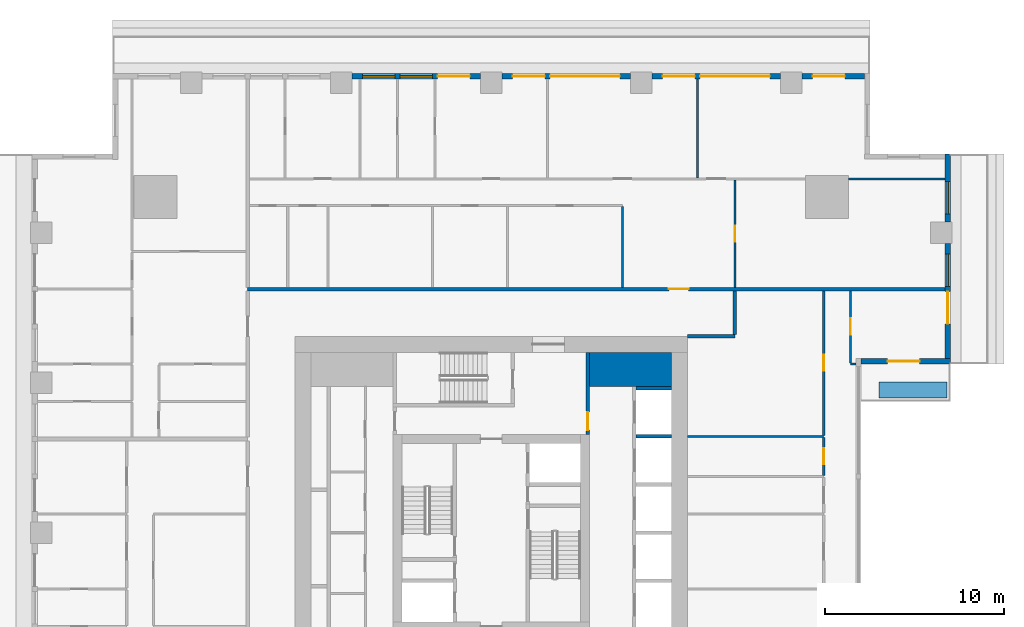
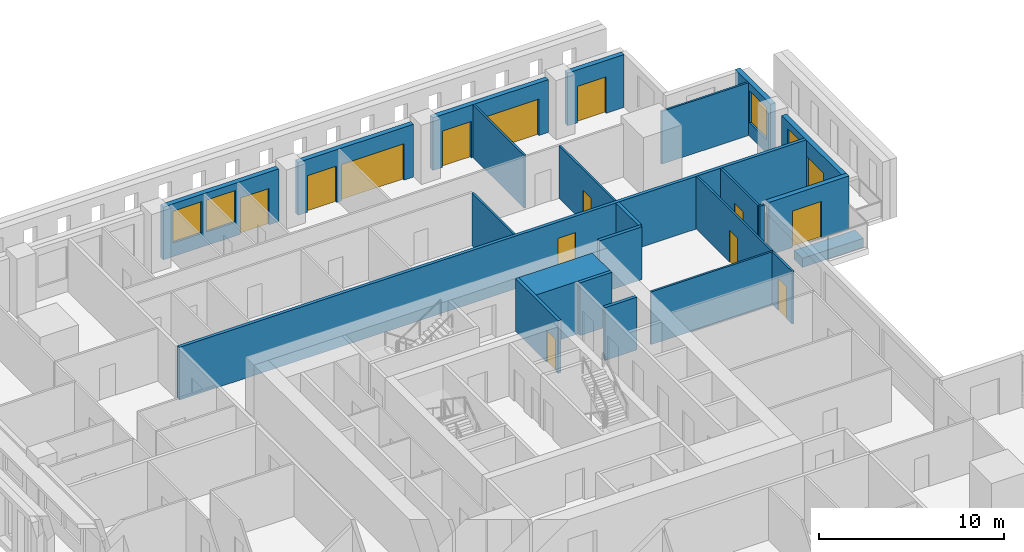
# One storey, part 8 of 15: 24 walls, 14 doors, 4 windows, 18 openings.
"""IFC4 building model written with IfcOpenShell, lengths in metres."""

from ifc_helpers import new_model, si_unit, direction, frame, frame_2d, origin, place, context, subcontext, project, spatial, rectangle, extrude, material, layer, layer_set, type_object, element, fill, save


model = new_model("IFC4")

# Units and contexts
model_context = context("Model", 3, precision=1e-05, world=origin(), true_north=direction((0.0, 1.0)))
body_context = subcontext(model_context, "Body", "Model", "MODEL_VIEW")
ifc_project = project(units=[si_unit("LENGTHUNIT", "METRE"), si_unit("AREAUNIT", "SQUARE_METRE"), si_unit("VOLUMEUNIT", "CUBIC_METRE"), si_unit("PLANEANGLEUNIT", "RADIAN"), si_unit("MASSUNIT", "GRAM", prefix="KILO")], contexts=[model_context])

# Site, building, storey
site_placement = place(None, origin())
site = spatial("IfcSite", under=ifc_project, at=site_placement, CompositionType="ELEMENT")
building_placement = place(site_placement, origin())
building = spatial("IfcBuilding", under=site, at=building_placement, Name="Khepri Terraces", CompositionType="ELEMENT")
storey_placement = place(building_placement, frame((0.0, 0.0, 211.800048828125)))
storey = spatial("IfcBuildingStorey", under=building, at=storey_placement, Name="L50", CompositionType="ELEMENT", Elevation=211.800048828125)

# Walls
ifc_material_1 = material(Name="Concrete C50/60", Category="concrete")
ifc_layer_1 = layer(ifc_material_1, 1.89990234375, Name="Concrete C50/60", Category="concrete")
ifc_layer_set_1 = layer_set([ifc_layer_1], Name="Concrete C50/60")
wall_type_1 = type_object("IfcWallType", Name="Core wall 1900 C50/60", PredefinedType="SHEAR", material=ifc_layer_set_1)
wall_1_placement = place(storey_placement, frame((5.5, 9.14990234375, 0.0), z_axis=(0.0, 0.0, 1.0), x_axis=(1.0, 0.0, 0.0)))
element("IfcWall", 1, at=wall_1_placement, inside=storey, type_object=wall_type_1, Name="Core wall PR04 L50", PredefinedType="SHEAR", context=body_context, shape_type="SweptSolid", body=[
    extrude(rectangle(XDim=4.60009765625, YDim=1.89990234375, at=frame_2d((2.300048828125, 0.0))), origin(), (0.0, 0.0, 1.0), 3.47998046875),
])
ifc_layer_2 = layer(ifc_material_1, 0.199951171875, Name="Concrete C50/60", Category="concrete")
ifc_layer_set_2 = layer_set([ifc_layer_2], Name="Concrete C50/60")
wall_type_2 = type_object("IfcWallType", Name="Core wall 200 C50/60", PredefinedType="SHEAR", material=ifc_layer_set_2)
for number, where, z_axis, x_axis, name in (
    (2, (8.10009765625, 5.39990234375, 0.0), (0.0, 0.0, 1.0), (1.0, 0.0, 0.0), "Core wall SH14 L50"),
    (3, (8.10009765625, 8.10009765625, 0.0), (0.0, 0.0, 1.0), (1.0, 0.0, 0.0), "Core wall SH15 L50"),
):
    element("IfcWall", number, at=place(storey_placement, frame(where, z_axis=z_axis, x_axis=x_axis)), inside=storey, type_object=wall_type_2, Name=name, PredefinedType="SHEAR", context=body_context, shape_type="SweptSolid", body=[
        extrude(rectangle(XDim=2.0, YDim=0.199951171875, at=frame_2d((1.0, 0.0))), origin(), (0.0, 0.0, 1.0), 3.47998046875),
    ])

# Wall, opening, door
ifc_material_2 = material(Name="Fire-rated gypsum board partition")
ifc_layer_3 = layer(ifc_material_2, 0.199951171875, Name="Fire-rated gypsum board partition")
ifc_layer_set_3 = layer_set([ifc_layer_3], Name="Fire-rated gypsum board partition")
wall_type_3 = type_object("IfcWallType", Name="WL-CORE-PART-200", PredefinedType="PARTITIONING", material=ifc_layer_set_3)
wall_2_placement = place(storey_placement, frame((5.39990234375, 5.5, 0.0), z_axis=(0.0, 0.0, 1.0), x_axis=(0.0, 1.0, 0.0)))
wall_2 = element("IfcWall", 4, at=wall_2_placement, inside=storey, type_object=wall_type_3, Name="Core partition PT12 L50", PredefinedType="PARTITIONING", context=body_context, shape_type="SweptSolid", body=[
    extrude(rectangle(XDim=4.60009765625, YDim=0.199951171875, at=frame_2d((2.300048828125, 0.0))), origin(), (0.0, 0.0, 1.0), 3.47998046875),
])
opening_1_placement = place(wall_2_placement, frame((0.25, 0.0, 0.0)))
opening_1 = element("IfcOpeningElement", 5, at=opening_1_placement, cuts=wall_2, Name="Opening L50-C17", PredefinedType="OPENING", context=body_context, shape_type="SweptSolid", body=[
    extrude(rectangle(XDim=1.0, YDim=2.10009765625, at=frame_2d((0.5, 1.050048828125))), frame((0.0, 0.10986328125, 0.0), z_axis=(0.0, -1.0, 0.0), x_axis=(1.0, 0.0, 0.0)), (0.0, 0.0, 1.0), 0.219970703125),
])
ifc_material_3 = material(Name="Painted steel", Category="steel")
door_type_1 = type_object("IfcDoorType", Name="DR-CORE-LOBBY-1000", OperationType="NOTDEFINED", PredefinedType="DOOR", material=ifc_material_3)
door_1_placement = place(opening_1_placement, origin())
door_1 = element("IfcDoor", 6, at=door_1_placement, inside=storey, type_object=door_type_1, Name="Lobby door L50-C17", OperationType="SINGLE_SWING_LEFT", OverallHeight=2.10009765625, OverallWidth=1.0, PredefinedType="DOOR", context=body_context, shape_type="SweptSolid", body=[
    extrude(rectangle(XDim=1.0, YDim=2.10009765625, at=frame_2d((0.5, 1.050048828125))), frame((0.0, 0.02490234375, 0.0), z_axis=(0.0, -1.0, 0.0), x_axis=(1.0, 0.0, 0.0)), (0.0, 0.0, 1.0), 0.050048828125),
])
fill(opening_1, door_1)

# Walls
ifc_material_4 = material(Name="Fire-rated gypsum plasterboard partition, mineral wool")
ifc_layer_4 = layer(ifc_material_4, 0.199951171875, Name="Fire-rated gypsum plasterboard partition, mineral wool")
ifc_layer_set_4 = layer_set([ifc_layer_4], Name="Fire-rated gypsum plasterboard partition, mineral wool")
wall_type_4 = type_object("IfcWallType", Name="WL-CORR-200", PredefinedType="PARTITIONING", material=ifc_layer_set_4)
wall_3_placement = place(storey_placement, frame((11.0, 11.0, 0.0), z_axis=(0.0, 0.0, 1.0), x_axis=(1.0, 0.0, 0.0)))
element("IfcWall", 7, at=wall_3_placement, inside=storey, type_object=wall_type_4, Name="Partition P-067 L50", PredefinedType="PARTITIONING", context=body_context, shape_type="SweptSolid", body=[
    extrude(rectangle(XDim=2.64990234375, YDim=0.199951171875, at=frame_2d((1.324951171875, 0.0))), origin(), (0.0, 0.0, 1.0), 3.47998046875),
])
wall_4_placement = place(storey_placement, frame((13.64990234375, 11.10009765625, 0.0), z_axis=(0.0, 0.0, 1.0), x_axis=(0.0, 1.0, 0.0)))
element("IfcWall", 8, at=wall_4_placement, inside=storey, type_object=wall_type_4, Name="Partition P-068 L50", PredefinedType="PARTITIONING", context=body_context, shape_type="SweptSolid", body=[
    extrude(rectangle(XDim=2.449951171875, YDim=0.199951171875, at=frame_2d((1.22509765625, 0.0))), origin(), (0.0, 0.0, 1.0), 3.47998046875),
])

# Wall, opening, door
wall_5_placement = place(storey_placement, frame((-13.64990234375, 13.64990234375, 0.0), z_axis=(0.0, 0.0, 1.0), x_axis=(1.0, 0.0, 0.0)))
wall_5 = element("IfcWall", 9, at=wall_5_placement, inside=storey, type_object=wall_type_4, Name="Partition P-070 L50", PredefinedType="PARTITIONING", context=body_context, shape_type="SweptSolid", body=[
    extrude(rectangle(XDim=39.06982421875, YDim=0.199951171875, at=frame_2d((19.534912109375, 0.0))), origin(), (0.0, 0.0, 1.0), 3.47998046875),
])
opening_2_placement = place(wall_5_placement, frame((23.60009765625, 0.0, 0.0)))
opening_2 = element("IfcOpeningElement", 10, at=opening_2_placement, cuts=wall_5, Name="Opening D1", PredefinedType="OPENING", context=body_context, shape_type="SweptSolid", body=[
    extrude(rectangle(XDim=1.10009765625, YDim=2.39990234375, at=frame_2d((0.550048828125, 1.199951171875))), frame((0.0, 0.10986328125, 0.0), z_axis=(0.0, -1.0, 0.0), x_axis=(1.0, 0.0, 0.0)), (0.0, 0.0, 1.0), 0.219970703125),
])
ifc_material_5 = material(Name="Solid-core timber door leaf, flat entrance door", Category="wood")
door_type_2 = type_object("IfcDoorType", Name="DR-ENT-1100", OperationType="NOTDEFINED", PredefinedType="DOOR", material=ifc_material_5)
door_2_placement = place(opening_2_placement, origin())
door_2 = element("IfcDoor", 11, at=door_2_placement, inside=storey, type_object=door_type_2, Name="Flat C1 entrance door", OperationType="SINGLE_SWING_RIGHT", OverallHeight=2.39990234375, OverallWidth=1.10009765625, PredefinedType="DOOR", context=body_context, shape_type="SweptSolid", body=[
    extrude(rectangle(XDim=1.10009765625, YDim=2.39990234375, at=frame_2d((0.550048828125, 1.199951171875))), frame((0.0, 0.02490234375, 0.0), z_axis=(0.0, -1.0, 0.0), x_axis=(1.0, 0.0, 0.0)), (0.0, 0.0, 1.0), 0.050048828125),
])
fill(opening_2, door_2)

ifc_material_6 = material(Name="Precast concrete C50/60 warm stone", Category="masonry")
ifc_layer_5 = layer(ifc_material_6, 0.300048828125, Name="Precast concrete C50/60 warm stone", Category="masonry")
ifc_layer_set_5 = layer_set([ifc_layer_5], Name="Precast concrete C50/60 warm stone")
wall_type_5 = type_object("IfcWallType", Name="WL-EXT-PRECAST-300", PredefinedType="STANDARD", material=ifc_layer_set_5)
wall_6_placement = place(storey_placement, frame((20.719970703125, 9.60009765625, 0.0), z_axis=(0.0, 0.0, 1.0), x_axis=(1.0, 0.0, 0.0)))
wall_6 = element("IfcWall", 12, at=wall_6_placement, inside=storey, type_object=wall_type_5, Name="External wall L50 S", PredefinedType="STANDARD", context=body_context, shape_type="SweptSolid", body=[
    extrude(rectangle(XDim=5.0, YDim=0.300048828125, at=frame_2d((2.5, 0.0))), origin(), (0.0, 0.0, 1.0), 3.47998046875),
])
opening_3_placement = place(wall_6_placement, frame((1.47998046875, 0.0, 0.0)))
opening_3 = element("IfcOpeningElement", 13, at=opening_3_placement, cuts=wall_6, Name="Opening ED-L50-04", PredefinedType="OPENING", context=body_context, shape_type="SweptSolid", body=[
    extrude(rectangle(XDim=1.800048828125, YDim=2.39990234375, at=frame_2d((0.89990234375, 1.199951171875))), frame((0.0, 0.16015625, 0.0), z_axis=(0.0, -1.0, 0.0), x_axis=(1.0, 0.0, 0.0)), (0.0, 0.0, 1.0), 0.320068359375),
])
ifc_material_7 = material(Name="Anodised aluminium bronze glazed door", Category="aluminium")
door_type_3 = type_object("IfcDoorType", Name="DR-BAL-SLIDE-1800x2400", OperationType="NOTDEFINED", PredefinedType="DOOR", material=ifc_material_7)
door_3_placement = place(opening_3_placement, origin())
door_3 = element("IfcDoor", 14, at=door_3_placement, inside=storey, type_object=door_type_3, Name="Balcony door L50 S", OperationType="SLIDING_TO_RIGHT", OverallHeight=2.39990234375, OverallWidth=1.800048828125, PredefinedType="DOOR", context=body_context, shape_type="SweptSolid", body=[
    extrude(rectangle(XDim=1.800048828125, YDim=2.39990234375, at=frame_2d((0.89990234375, 1.199951171875))), frame((0.0, 0.02490234375, 0.0), z_axis=(0.0, -1.0, 0.0), x_axis=(1.0, 0.0, 0.0)), (0.0, 0.0, 1.0), 0.050048828125),
])
fill(opening_3, door_3)

# Wall, openings, door, window
wall_7_placement = place(storey_placement, frame((25.570068359375, 9.75, 0.0), z_axis=(0.0, 0.0, 1.0), x_axis=(0.0, 1.0, 0.0)))
wall_7 = element("IfcWall", 15, at=wall_7_placement, inside=storey, type_object=wall_type_5, Name="External wall L50 E", PredefinedType="STANDARD", context=body_context, shape_type="SweptSolid", body=[
    extrude(rectangle(XDim=6.449951171875, YDim=0.300048828125, at=frame_2d((3.22509765625, 0.0))), origin(), (0.0, 0.0, 1.0), 3.47998046875),
])
opening_4_placement = place(wall_7_placement, frame((1.949951171875, 0.0, 0.0)))
opening_4 = element("IfcOpeningElement", 16, at=opening_4_placement, cuts=wall_7, Name="Opening ED-L50-05", PredefinedType="OPENING", context=body_context, shape_type="SweptSolid", body=[
    extrude(rectangle(XDim=1.800048828125, YDim=2.39990234375, at=frame_2d((0.89990234375, 1.199951171875))), frame((0.0, 0.16015625, 0.0), z_axis=(0.0, -1.0, 0.0), x_axis=(1.0, 0.0, 0.0)), (0.0, 0.0, 1.0), 0.320068359375),
])
opening_5_placement = place(wall_7_placement, frame((4.050048828125, 0.0, 0.89990234375)))
opening_5 = element("IfcOpeningElement", 17, at=opening_5_placement, cuts=wall_7, Name="Opening W1", PredefinedType="OPENING", context=body_context, shape_type="SweptSolid", body=[
    extrude(rectangle(XDim=1.800048828125, YDim=2.10009765625, at=frame_2d((0.89990234375, 1.050048828125))), frame((0.0, 0.16015625, 0.0), z_axis=(0.0, -1.0, 0.0), x_axis=(1.0, 0.0, 0.0)), (0.0, 0.0, 1.0), 0.320068359375),
])
door_4_placement = place(opening_4_placement, origin())
door_4 = element("IfcDoor", 18, at=door_4_placement, inside=storey, type_object=door_type_3, Name="Balcony door L50 E", OperationType="SLIDING_TO_RIGHT", OverallHeight=2.39990234375, OverallWidth=1.800048828125, PredefinedType="DOOR", context=body_context, shape_type="SweptSolid", body=[
    extrude(rectangle(XDim=1.800048828125, YDim=2.39990234375, at=frame_2d((0.89990234375, 1.199951171875))), frame((0.0, 0.02490234375, 0.0), z_axis=(0.0, -1.0, 0.0), x_axis=(1.0, 0.0, 0.0)), (0.0, 0.0, 1.0), 0.050048828125),
])
fill(opening_4, door_4)
ifc_material_8 = material(Name="Clear glass", Category="glass")
window_type = type_object("IfcWindowType", Name="WIN-RES-1800x2100", PartitioningType="SINGLE_PANEL", PredefinedType="WINDOW", material=ifc_material_8)
window_1_placement = place(opening_5_placement, origin())
window_1 = element("IfcWindow", 19, at=window_1_placement, inside=storey, type_object=window_type, Name="Window L50 E", OverallHeight=2.10009765625, OverallWidth=1.800048828125, PartitioningType="SINGLE_PANEL", PredefinedType="WINDOW", context=body_context, shape_type="SweptSolid", body=[
    extrude(rectangle(XDim=1.800048828125, YDim=2.10009765625, at=frame_2d((0.89990234375, 1.050048828125))), frame((0.0, 0.030029296875, 0.0), z_axis=(0.0, -1.0, 0.0), x_axis=(1.0, 0.0, 0.0)), (0.0, 0.0, 1.0), 0.06005859375),
])
fill(opening_5, window_1)

# Wall, opening, window
wall_8_placement = place(storey_placement, frame((25.570068359375, 17.39990234375, 0.0), z_axis=(0.0, 0.0, 1.0), x_axis=(0.0, 1.0, 0.0)))
wall_8 = element("IfcWall", 20, at=wall_8_placement, inside=storey, type_object=wall_type_5, Name="External wall L50 E", PredefinedType="STANDARD", context=body_context, shape_type="SweptSolid", body=[
    extrude(rectangle(XDim=3.820068359375, YDim=0.300048828125, at=frame_2d((1.91015625, 0.0))), origin(), (0.0, 0.0, 1.0), 3.47998046875),
])
opening_6_placement = place(wall_8_placement, frame((0.4599609375, 0.0, 0.89990234375)))
opening_6 = element("IfcOpeningElement", 21, at=opening_6_placement, cuts=wall_8, Name="Opening W1", PredefinedType="OPENING", context=body_context, shape_type="SweptSolid", body=[
    extrude(rectangle(XDim=1.800048828125, YDim=2.10009765625, at=frame_2d((0.89990234375, 1.050048828125))), frame((0.0, 0.16015625, 0.0), z_axis=(0.0, -1.0, 0.0), x_axis=(1.0, 0.0, 0.0)), (0.0, 0.0, 1.0), 0.320068359375),
])
window_2_placement = place(opening_6_placement, origin())
window_2 = element("IfcWindow", 22, at=window_2_placement, inside=storey, type_object=window_type, Name="Window L50 E", OverallHeight=2.10009765625, OverallWidth=1.800048828125, PartitioningType="SINGLE_PANEL", PredefinedType="WINDOW", context=body_context, shape_type="SweptSolid", body=[
    extrude(rectangle(XDim=1.800048828125, YDim=2.10009765625, at=frame_2d((0.89990234375, 1.050048828125))), frame((0.0, 0.030029296875, 0.0), z_axis=(0.0, -1.0, 0.0), x_axis=(1.0, 0.0, 0.0)), (0.0, 0.0, 1.0), 0.06005859375),
])
fill(opening_6, window_2)

# Wall, opening, door
wall_9_placement = place(storey_placement, frame((20.919921875, 25.570068359375, 0.0), z_axis=(0.0, 0.0, 1.0), x_axis=(-1.0, 0.0, 0.0)))
wall_9 = element("IfcWall", 23, at=wall_9_placement, inside=storey, type_object=wall_type_5, Name="External wall L50 N", PredefinedType="STANDARD", context=body_context, shape_type="SweptSolid", body=[
    extrude(rectangle(XDim=3.52001953125, YDim=0.300048828125, at=frame_2d((1.760009765625, 0.0))), origin(), (0.0, 0.0, 1.0), 3.47998046875),
])
opening_7_placement = place(wall_9_placement, frame((1.1201171875, 0.0, 0.0)))
opening_7 = element("IfcOpeningElement", 24, at=opening_7_placement, cuts=wall_9, Name="Opening ED-L50-06", PredefinedType="OPENING", context=body_context, shape_type="SweptSolid", body=[
    extrude(rectangle(XDim=1.800048828125, YDim=2.39990234375, at=frame_2d((0.89990234375, 1.199951171875))), frame((0.0, 0.16015625, 0.0), z_axis=(0.0, -1.0, 0.0), x_axis=(1.0, 0.0, 0.0)), (0.0, 0.0, 1.0), 0.320068359375),
])
door_5_placement = place(opening_7_placement, origin())
door_5 = element("IfcDoor", 25, at=door_5_placement, inside=storey, type_object=door_type_3, Name="Balcony door L50 N", OperationType="SLIDING_TO_RIGHT", OverallHeight=2.39990234375, OverallWidth=1.800048828125, PredefinedType="DOOR", context=body_context, shape_type="SweptSolid", body=[
    extrude(rectangle(XDim=1.800048828125, YDim=2.39990234375, at=frame_2d((0.89990234375, 1.199951171875))), frame((0.0, 0.02490234375, 0.0), z_axis=(0.0, -1.0, 0.0), x_axis=(1.0, 0.0, 0.0)), (0.0, 0.0, 1.0), 0.050048828125),
])
fill(opening_7, door_5)

# Wall, openings, doors
wall_10_placement = place(storey_placement, frame((16.199951171875, 25.570068359375, 0.0), z_axis=(0.0, 0.0, 1.0), x_axis=(-1.0, 0.0, 0.0)))
wall_10 = element("IfcWall", 26, at=wall_10_placement, inside=storey, type_object=wall_type_5, Name="External wall L50 N", PredefinedType="STANDARD", context=body_context, shape_type="SweptSolid", body=[
    extrude(rectangle(XDim=7.199951171875, YDim=0.300048828125, at=frame_2d((3.60009765625, 0.0))), origin(), (0.0, 0.0, 1.0), 3.47998046875),
])
opening_8_placement = place(wall_10_placement, frame((0.60009765625, 0.0, 0.0)))
opening_8 = element("IfcOpeningElement", 27, at=opening_8_placement, cuts=wall_10, Name="Opening ED-L50-07", PredefinedType="OPENING", context=body_context, shape_type="SweptSolid", body=[
    extrude(rectangle(XDim=3.89990234375, YDim=2.39990234375, at=frame_2d((1.949951171875, 1.199951171875))), frame((0.0, 0.16015625, 0.0), z_axis=(0.0, -1.0, 0.0), x_axis=(1.0, 0.0, 0.0)), (0.0, 0.0, 1.0), 0.320068359375),
])
opening_9_placement = place(wall_10_placement, frame((4.800048828125, 0.0, 0.0)))
opening_9 = element("IfcOpeningElement", 28, at=opening_9_placement, cuts=wall_10, Name="Opening ED-L50-08", PredefinedType="OPENING", context=body_context, shape_type="SweptSolid", body=[
    extrude(rectangle(XDim=1.800048828125, YDim=2.39990234375, at=frame_2d((0.89990234375, 1.199951171875))), frame((0.0, 0.16015625, 0.0), z_axis=(0.0, -1.0, 0.0), x_axis=(1.0, 0.0, 0.0)), (0.0, 0.0, 1.0), 0.320068359375),
])
door_6_placement = place(opening_9_placement, origin())
door_6 = element("IfcDoor", 29, at=door_6_placement, inside=storey, type_object=door_type_3, Name="Balcony door L50 N", OperationType="SLIDING_TO_RIGHT", OverallHeight=2.39990234375, OverallWidth=1.800048828125, PredefinedType="DOOR", context=body_context, shape_type="SweptSolid", body=[
    extrude(rectangle(XDim=1.800048828125, YDim=2.39990234375, at=frame_2d((0.89990234375, 1.199951171875))), frame((0.0, 0.02490234375, 0.0), z_axis=(0.0, -1.0, 0.0), x_axis=(1.0, 0.0, 0.0)), (0.0, 0.0, 1.0), 0.050048828125),
])
fill(opening_9, door_6)
door_type_4 = type_object("IfcDoorType", Name="DR-BAL-SLIDE-3900x2400", OperationType="NOTDEFINED", PredefinedType="DOOR", material=ifc_material_7)
door_7_placement = place(opening_8_placement, origin())
door_7 = element("IfcDoor", 30, at=door_7_placement, inside=storey, type_object=door_type_4, Name="Balcony door L50 N", OperationType="SLIDING_TO_LEFT", OverallHeight=2.39990234375, OverallWidth=3.89990234375, PredefinedType="DOOR", context=body_context, shape_type="SweptSolid", body=[
    extrude(rectangle(XDim=3.89990234375, YDim=2.39990234375, at=frame_2d((1.949951171875, 1.199951171875))), frame((0.0, 0.02490234375, 0.0), z_axis=(0.0, -1.0, 0.0), x_axis=(1.0, 0.0, 0.0)), (0.0, 0.0, 1.0), 0.050048828125),
])
fill(opening_8, door_7)

wall_11_placement = place(storey_placement, frame((7.800048828125, 25.570068359375, 0.0), z_axis=(0.0, 0.0, 1.0), x_axis=(-1.0, 0.0, 0.0)))
wall_11 = element("IfcWall", 31, at=wall_11_placement, inside=storey, type_object=wall_type_5, Name="External wall L50 N", PredefinedType="STANDARD", context=body_context, shape_type="SweptSolid", body=[
    extrude(rectangle(XDim=7.199951171875, YDim=0.300048828125, at=frame_2d((3.60009765625, 0.0))), origin(), (0.0, 0.0, 1.0), 3.47998046875),
])
opening_10_placement = place(wall_11_placement, frame((0.60009765625, 0.0, 0.0)))
opening_10 = element("IfcOpeningElement", 32, at=opening_10_placement, cuts=wall_11, Name="Opening ED-L50-09", PredefinedType="OPENING", context=body_context, shape_type="SweptSolid", body=[
    extrude(rectangle(XDim=3.89990234375, YDim=2.39990234375, at=frame_2d((1.949951171875, 1.199951171875))), frame((0.0, 0.16015625, 0.0), z_axis=(0.0, -1.0, 0.0), x_axis=(1.0, 0.0, 0.0)), (0.0, 0.0, 1.0), 0.320068359375),
])
opening_11_placement = place(wall_11_placement, frame((4.800048828125, 0.0, 0.0)))
opening_11 = element("IfcOpeningElement", 33, at=opening_11_placement, cuts=wall_11, Name="Opening ED-L50-10", PredefinedType="OPENING", context=body_context, shape_type="SweptSolid", body=[
    extrude(rectangle(XDim=1.800048828125, YDim=2.39990234375, at=frame_2d((0.89990234375, 1.199951171875))), frame((0.0, 0.16015625, 0.0), z_axis=(0.0, -1.0, 0.0), x_axis=(1.0, 0.0, 0.0)), (0.0, 0.0, 1.0), 0.320068359375),
])
door_8_placement = place(opening_11_placement, origin())
door_8 = element("IfcDoor", 34, at=door_8_placement, inside=storey, type_object=door_type_3, Name="Balcony door L50 N", OperationType="SLIDING_TO_RIGHT", OverallHeight=2.39990234375, OverallWidth=1.800048828125, PredefinedType="DOOR", context=body_context, shape_type="SweptSolid", body=[
    extrude(rectangle(XDim=1.800048828125, YDim=2.39990234375, at=frame_2d((0.89990234375, 1.199951171875))), frame((0.0, 0.02490234375, 0.0), z_axis=(0.0, -1.0, 0.0), x_axis=(1.0, 0.0, 0.0)), (0.0, 0.0, 1.0), 0.050048828125),
])
fill(opening_11, door_8)
door_9_placement = place(opening_10_placement, origin())
door_9 = element("IfcDoor", 35, at=door_9_placement, inside=storey, type_object=door_type_4, Name="Balcony door L50 N", OperationType="SLIDING_TO_LEFT", OverallHeight=2.39990234375, OverallWidth=3.89990234375, PredefinedType="DOOR", context=body_context, shape_type="SweptSolid", body=[
    extrude(rectangle(XDim=3.89990234375, YDim=2.39990234375, at=frame_2d((1.949951171875, 1.199951171875))), frame((0.0, 0.02490234375, 0.0), z_axis=(0.0, -1.0, 0.0), x_axis=(1.0, 0.0, 0.0)), (0.0, 0.0, 1.0), 0.050048828125),
])
fill(opening_10, door_9)

# Wall, openings, door, windows
wall_12_placement = place(storey_placement, frame((-0.60009765625, 25.570068359375, 0.0), z_axis=(0.0, 0.0, 1.0), x_axis=(-1.0, 0.0, 0.0)))
wall_12 = element("IfcWall", 36, at=wall_12_placement, inside=storey, type_object=wall_type_5, Name="External wall L50 N", PredefinedType="STANDARD", context=body_context, shape_type="SweptSolid", body=[
    extrude(rectangle(XDim=7.199951171875, YDim=0.300048828125, at=frame_2d((3.60009765625, 0.0))), origin(), (0.0, 0.0, 1.0), 3.47998046875),
])
opening_12_placement = place(wall_12_placement, frame((0.60009765625, 0.0, 0.0)))
opening_12 = element("IfcOpeningElement", 37, at=opening_12_placement, cuts=wall_12, Name="Opening ED-L50-11", PredefinedType="OPENING", context=body_context, shape_type="SweptSolid", body=[
    extrude(rectangle(XDim=1.800048828125, YDim=2.39990234375, at=frame_2d((0.89990234375, 1.199951171875))), frame((0.0, 0.16015625, 0.0), z_axis=(0.0, -1.0, 0.0), x_axis=(1.0, 0.0, 0.0)), (0.0, 0.0, 1.0), 0.320068359375),
])
opening_13_placement = place(wall_12_placement, frame((2.699951171875, 0.0, 0.89990234375)))
opening_13 = element("IfcOpeningElement", 38, at=opening_13_placement, cuts=wall_12, Name="Opening W1", PredefinedType="OPENING", context=body_context, shape_type="SweptSolid", body=[
    extrude(rectangle(XDim=1.800048828125, YDim=2.10009765625, at=frame_2d((0.89990234375, 1.050048828125))), frame((0.0, 0.16015625, 0.0), z_axis=(0.0, -1.0, 0.0), x_axis=(1.0, 0.0, 0.0)), (0.0, 0.0, 1.0), 0.320068359375),
])
opening_14_placement = place(wall_12_placement, frame((4.800048828125, 0.0, 0.89990234375)))
opening_14 = element("IfcOpeningElement", 39, at=opening_14_placement, cuts=wall_12, Name="Opening W1", PredefinedType="OPENING", context=body_context, shape_type="SweptSolid", body=[
    extrude(rectangle(XDim=1.800048828125, YDim=2.10009765625, at=frame_2d((0.89990234375, 1.050048828125))), frame((0.0, 0.16015625, 0.0), z_axis=(0.0, -1.0, 0.0), x_axis=(1.0, 0.0, 0.0)), (0.0, 0.0, 1.0), 0.320068359375),
])
door_10_placement = place(opening_12_placement, origin())
door_10 = element("IfcDoor", 40, at=door_10_placement, inside=storey, type_object=door_type_3, Name="Balcony door L50 N", OperationType="SLIDING_TO_LEFT", OverallHeight=2.39990234375, OverallWidth=1.800048828125, PredefinedType="DOOR", context=body_context, shape_type="SweptSolid", body=[
    extrude(rectangle(XDim=1.800048828125, YDim=2.39990234375, at=frame_2d((0.89990234375, 1.199951171875))), frame((0.0, 0.02490234375, 0.0), z_axis=(0.0, -1.0, 0.0), x_axis=(1.0, 0.0, 0.0)), (0.0, 0.0, 1.0), 0.050048828125),
])
fill(opening_12, door_10)
window_3_placement = place(opening_13_placement, origin())
window_3 = element("IfcWindow", 41, at=window_3_placement, inside=storey, type_object=window_type, Name="Window L50 N", OverallHeight=2.10009765625, OverallWidth=1.800048828125, PartitioningType="SINGLE_PANEL", PredefinedType="WINDOW", context=body_context, shape_type="SweptSolid", body=[
    extrude(rectangle(XDim=1.800048828125, YDim=2.10009765625, at=frame_2d((0.89990234375, 1.050048828125))), frame((0.0, 0.030029296875, 0.0), z_axis=(0.0, -1.0, 0.0), x_axis=(1.0, 0.0, 0.0)), (0.0, 0.0, 1.0), 0.06005859375),
])
fill(opening_13, window_3)
window_4_placement = place(opening_14_placement, origin())
window_4 = element("IfcWindow", 42, at=window_4_placement, inside=storey, type_object=window_type, Name="Window L50 N", OverallHeight=2.10009765625, OverallWidth=1.800048828125, PartitioningType="SINGLE_PANEL", PredefinedType="WINDOW", context=body_context, shape_type="SweptSolid", body=[
    extrude(rectangle(XDim=1.800048828125, YDim=2.10009765625, at=frame_2d((0.89990234375, 1.050048828125))), frame((0.0, 0.030029296875, 0.0), z_axis=(0.0, -1.0, 0.0), x_axis=(1.0, 0.0, 0.0)), (0.0, 0.0, 1.0), 0.06005859375),
])
fill(opening_14, window_4)

# Wall, opening, door
ifc_material_9 = material(Name="Gypsum plasterboard partition")
ifc_layer_6 = layer(ifc_material_9, 0.1201171875, Name="Gypsum plasterboard partition")
ifc_layer_set_6 = layer_set([ifc_layer_6], Name="Gypsum plasterboard partition")
wall_type_6 = type_object("IfcWallType", Name="WL-PART-120", PredefinedType="PARTITIONING", material=ifc_layer_set_6)
wall_13_placement = place(storey_placement, frame((18.6201171875, 3.2099609375, 0.0), z_axis=(0.0, 0.0, 1.0), x_axis=(0.0, 1.0, 0.0)))
wall_13 = element("IfcWall", 43, at=wall_13_placement, inside=storey, type_object=wall_type_6, Name="Partition P-051 L50", PredefinedType="PARTITIONING", context=body_context, shape_type="SweptSolid", body=[
    extrude(rectangle(XDim=2.130126953125, YDim=0.1201171875, at=frame_2d((1.06494140625, 0.0))), origin(), (0.0, 0.0, 1.0), 3.47998046875),
])
opening_15_placement = place(wall_13_placement, frame((0.614990234375, 0.0, 0.0)))
opening_15 = element("IfcOpeningElement", 44, at=opening_15_placement, cuts=wall_13, Name="Opening D4", PredefinedType="OPENING", context=body_context, shape_type="SweptSolid", body=[
    extrude(rectangle(XDim=0.89990234375, YDim=2.10009765625, at=frame_2d((0.449951171875, 1.050048828125))), frame((0.0, 0.070068359375, 0.0), z_axis=(0.0, -1.0, 0.0), x_axis=(1.0, 0.0, 0.0)), (0.0, 0.0, 1.0), 0.14013671875),
])
ifc_material_10 = material(Name="Timber door leaf, moisture resistant", Category="wood")
door_type_5 = type_object("IfcDoorType", Name="DR-WET-900", OperationType="NOTDEFINED", PredefinedType="DOOR", material=ifc_material_10)
door_11_placement = place(opening_15_placement, origin())
door_11 = element("IfcDoor", 45, at=door_11_placement, inside=storey, type_object=door_type_5, Name="Door Guest Bathroom", OperationType="SINGLE_SWING_RIGHT", OverallHeight=2.10009765625, OverallWidth=0.89990234375, PredefinedType="DOOR", context=body_context, shape_type="SweptSolid", body=[
    extrude(rectangle(XDim=0.89990234375, YDim=2.10009765625, at=frame_2d((0.449951171875, 1.050048828125))), frame((0.0, 0.02490234375, 0.0), z_axis=(0.0, -1.0, 0.0), x_axis=(1.0, 0.0, 0.0)), (0.0, 0.0, 1.0), 0.050048828125),
])
fill(opening_15, door_11)

# Wall
wall_14_placement = place(storey_placement, frame((11.0, 5.39990234375, 0.0), z_axis=(0.0, 0.0, 1.0), x_axis=(1.0, 0.0, 0.0)))
element("IfcWall", 46, at=wall_14_placement, inside=storey, type_object=wall_type_6, Name="Partition P-056 L50", PredefinedType="PARTITIONING", context=body_context, shape_type="SweptSolid", body=[
    extrude(rectangle(XDim=7.6201171875, YDim=0.1201171875, at=frame_2d((3.81005859375, 0.0))), origin(), (0.0, 0.0, 1.0), 3.47998046875),
])

# Wall, opening, door
wall_15_placement = place(storey_placement, frame((18.6201171875, 5.4599609375, 0.0), z_axis=(0.0, 0.0, 1.0), x_axis=(0.0, 1.0, 0.0)))
wall_15 = element("IfcWall", 47, at=wall_15_placement, inside=storey, type_object=wall_type_6, Name="Partition P-057 L50", PredefinedType="PARTITIONING", context=body_context, shape_type="SweptSolid", body=[
    extrude(rectangle(XDim=8.090087890625, YDim=0.1201171875, at=frame_2d((4.044921875, 0.0))), origin(), (0.0, 0.0, 1.0), 3.47998046875),
])
opening_16_placement = place(wall_15_placement, frame((3.614990234375, 0.0, 0.0)))
opening_16 = element("IfcOpeningElement", 48, at=opening_16_placement, cuts=wall_15, Name="Opening D3", PredefinedType="OPENING", context=body_context, shape_type="SweptSolid", body=[
    extrude(rectangle(XDim=0.89990234375, YDim=2.10009765625, at=frame_2d((0.449951171875, 1.050048828125))), frame((0.0, 0.070068359375, 0.0), z_axis=(0.0, -1.0, 0.0), x_axis=(1.0, 0.0, 0.0)), (0.0, 0.0, 1.0), 0.14013671875),
])
ifc_material_11 = material(Name="Timber door leaf", Category="wood")
door_type_6 = type_object("IfcDoorType", Name="DR-INT-900", OperationType="NOTDEFINED", PredefinedType="DOOR", material=ifc_material_11)
door_12_placement = place(opening_16_placement, origin())
door_12 = element("IfcDoor", 49, at=door_12_placement, inside=storey, type_object=door_type_6, Name="Door Library", OperationType="SINGLE_SWING_RIGHT", OverallHeight=2.10009765625, OverallWidth=0.89990234375, PredefinedType="DOOR", context=body_context, shape_type="SweptSolid", body=[
    extrude(rectangle(XDim=0.89990234375, YDim=2.10009765625, at=frame_2d((0.449951171875, 1.050048828125))), frame((0.0, 0.02490234375, 0.0), z_axis=(0.0, -1.0, 0.0), x_axis=(1.0, 0.0, 0.0)), (0.0, 0.0, 1.0), 0.050048828125),
])
fill(opening_16, door_12)

# Wall
wall_16_placement = place(storey_placement, frame((20.1201171875, 9.449951171875, 0.0), z_axis=(0.0, 0.0, 1.0), x_axis=(1.0, 0.0, 0.0)))
element("IfcWall", 50, at=wall_16_placement, inside=storey, type_object=wall_type_6, Name="Partition P-064 L50", PredefinedType="PARTITIONING", context=body_context, shape_type="SweptSolid", body=[
    extrude(rectangle(XDim=0.2998046875, YDim=0.1201171875, at=frame_2d((0.14990234375, 0.0))), origin(), (0.0, 0.0, 1.0), 3.47998046875),
])

# Wall, opening, door
wall_17_placement = place(storey_placement, frame((20.1201171875, 9.510009765625, 0.0), z_axis=(0.0, 0.0, 1.0), x_axis=(0.0, 1.0, 0.0)))
wall_17 = element("IfcWall", 51, at=wall_17_placement, inside=storey, type_object=wall_type_6, Name="Partition P-066 L50", PredefinedType="PARTITIONING", context=body_context, shape_type="SweptSolid", body=[
    extrude(rectangle(XDim=4.0400390625, YDim=0.1201171875, at=frame_2d((2.02001953125, 0.0))), origin(), (0.0, 0.0, 1.0), 3.47998046875),
])
opening_17_placement = place(wall_17_placement, frame((1.590087890625, 0.0, 0.0)))
opening_17 = element("IfcOpeningElement", 52, at=opening_17_placement, cuts=wall_17, Name="Opening D3", PredefinedType="OPENING", context=body_context, shape_type="SweptSolid", body=[
    extrude(rectangle(XDim=0.89990234375, YDim=2.10009765625, at=frame_2d((0.449951171875, 1.050048828125))), frame((0.0, 0.070068359375, 0.0), z_axis=(0.0, -1.0, 0.0), x_axis=(1.0, 0.0, 0.0)), (0.0, 0.0, 1.0), 0.14013671875),
])
door_13_placement = place(opening_17_placement, frame((0.89990234375, 0.0, 0.0), z_axis=(0.0, 0.0, 1.0), x_axis=(-1.0, 0.0, 0.0)))
door_13 = element("IfcDoor", 53, at=door_13_placement, inside=storey, type_object=door_type_6, Name="Door Home Office", OperationType="SINGLE_SWING_LEFT", OverallHeight=2.10009765625, OverallWidth=0.89990234375, PredefinedType="DOOR", context=body_context, shape_type="SweptSolid", body=[
    extrude(rectangle(XDim=0.89990234375, YDim=2.10009765625, at=frame_2d((0.449951171875, 1.050048828125))), frame((0.0, 0.02490234375, 0.0), z_axis=(0.0, -1.0, 0.0), x_axis=(1.0, 0.0, 0.0)), (0.0, 0.0, 1.0), 0.050048828125),
])
fill(opening_17, door_13)

# Wall
wall_18_placement = place(storey_placement, frame((7.35009765625, 13.75, 0.0), z_axis=(0.0, 0.0, 1.0), x_axis=(0.0, 1.0, 0.0)))
element("IfcWall", 54, at=wall_18_placement, inside=storey, type_object=wall_type_6, Name="Partition P-077 L50", PredefinedType="PARTITIONING", context=body_context, shape_type="SweptSolid", body=[
    extrude(rectangle(XDim=4.510009765625, YDim=0.1201171875, at=frame_2d((2.2548828125, 0.0))), origin(), (0.0, 0.0, 1.0), 3.47998046875),
])

# Wall, opening, door
wall_19_placement = place(storey_placement, frame((13.64990234375, 13.75, 0.0), z_axis=(0.0, 0.0, 1.0), x_axis=(0.0, 1.0, 0.0)))
wall_19 = element("IfcWall", 55, at=wall_19_placement, inside=storey, type_object=wall_type_6, Name="Partition P-078 L50", PredefinedType="PARTITIONING", context=body_context, shape_type="SweptSolid", body=[
    extrude(rectangle(XDim=6.010009765625, YDim=0.1201171875, at=frame_2d((3.0048828125, 0.0))), origin(), (0.0, 0.0, 1.0), 3.47998046875),
])
opening_18_placement = place(wall_19_placement, frame((2.534912109375, 0.0, 0.0)))
opening_18 = element("IfcOpeningElement", 56, at=opening_18_placement, cuts=wall_19, Name="Opening D3", PredefinedType="OPENING", context=body_context, shape_type="SweptSolid", body=[
    extrude(rectangle(XDim=0.89990234375, YDim=2.10009765625, at=frame_2d((0.449951171875, 1.050048828125))), frame((0.0, 0.070068359375, 0.0), z_axis=(0.0, -1.0, 0.0), x_axis=(1.0, 0.0, 0.0)), (0.0, 0.0, 1.0), 0.14013671875),
])
door_14_placement = place(opening_18_placement, frame((0.89990234375, 0.0, 0.0), z_axis=(0.0, 0.0, 1.0), x_axis=(-1.0, 0.0, 0.0)))
door_14 = element("IfcDoor", 57, at=door_14_placement, inside=storey, type_object=door_type_6, Name="Door Home Gym", OperationType="SINGLE_SWING_RIGHT", OverallHeight=2.10009765625, OverallWidth=0.89990234375, PredefinedType="DOOR", context=body_context, shape_type="SweptSolid", body=[
    extrude(rectangle(XDim=0.89990234375, YDim=2.10009765625, at=frame_2d((0.449951171875, 1.050048828125))), frame((0.0, 0.02490234375, 0.0), z_axis=(0.0, -1.0, 0.0), x_axis=(1.0, 0.0, 0.0)), (0.0, 0.0, 1.0), 0.050048828125),
])
fill(opening_18, door_14)

# Walls
wall_20_placement = place(storey_placement, frame((20.0, 19.820068359375, 0.0), z_axis=(0.0, 0.0, 1.0), x_axis=(1.0, 0.0, 0.0)))
element("IfcWall", 58, at=wall_20_placement, inside=storey, type_object=wall_type_6, Name="Partition P-083 L50", PredefinedType="PARTITIONING", context=body_context, shape_type="SweptSolid", body=[
    extrude(rectangle(XDim=5.419921875, YDim=0.1201171875, at=frame_2d((2.7099609375, 0.0))), origin(), (0.0, 0.0, 1.0), 3.47998046875),
])
wall_21_placement = place(storey_placement, frame((11.550048828125, 19.8798828125, 0.0), z_axis=(0.0, 0.0, 1.0), x_axis=(0.0, 1.0, 0.0)))
element("IfcWall", 59, at=wall_21_placement, inside=storey, type_object=wall_type_6, Name="Partition P-089 L50", PredefinedType="PARTITIONING", context=body_context, shape_type="SweptSolid", body=[
    extrude(rectangle(XDim=5.5400390625, YDim=0.1201171875, at=frame_2d((2.77001953125, 0.0))), origin(), (0.0, 0.0, 1.0), 3.47998046875),
])
ifc_layer_7 = layer(ifc_material_6, 0.89990234375, Name="Precast concrete C50/60 warm stone", Category="masonry")
ifc_layer_set_7 = layer_set([ifc_layer_7], Name="Precast concrete C50/60 warm stone")
wall_type_7 = type_object("IfcWallType", Name="WL-PLANTER-900", PredefinedType="MOVABLE", material=ifc_layer_set_7)
wall_22_placement = place(storey_placement, frame((21.719970703125, 8.0, 0.0), z_axis=(0.0, 0.0, 1.0), x_axis=(1.0, 0.0, 0.0)))
element("IfcWall", 60, at=wall_22_placement, inside=storey, type_object=wall_type_7, Name="Planter L50", PredefinedType="MOVABLE", context=body_context, shape_type="SweptSolid", body=[
    extrude(rectangle(XDim=3.800048828125, YDim=0.89990234375, at=frame_2d((1.89990234375, 0.0))), origin(), (0.0, 0.0, 1.0), 0.599853515625),
])

save(model, "model.ifc")
